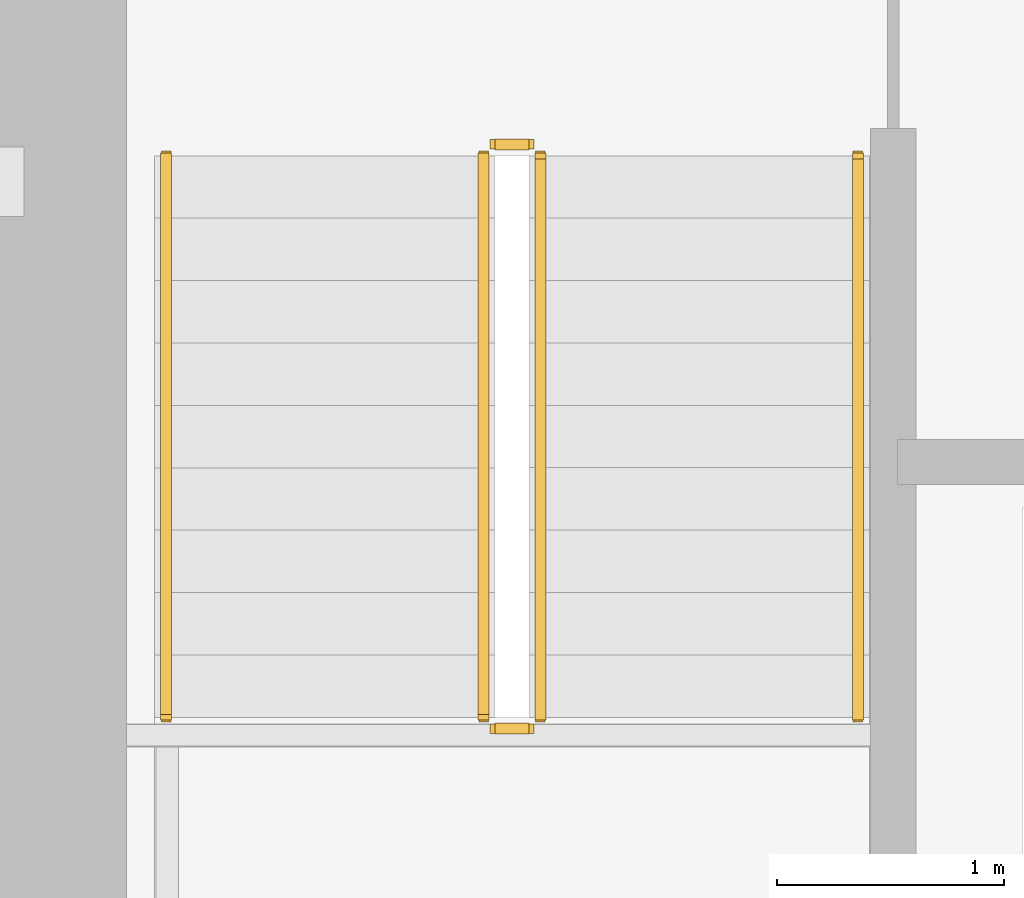
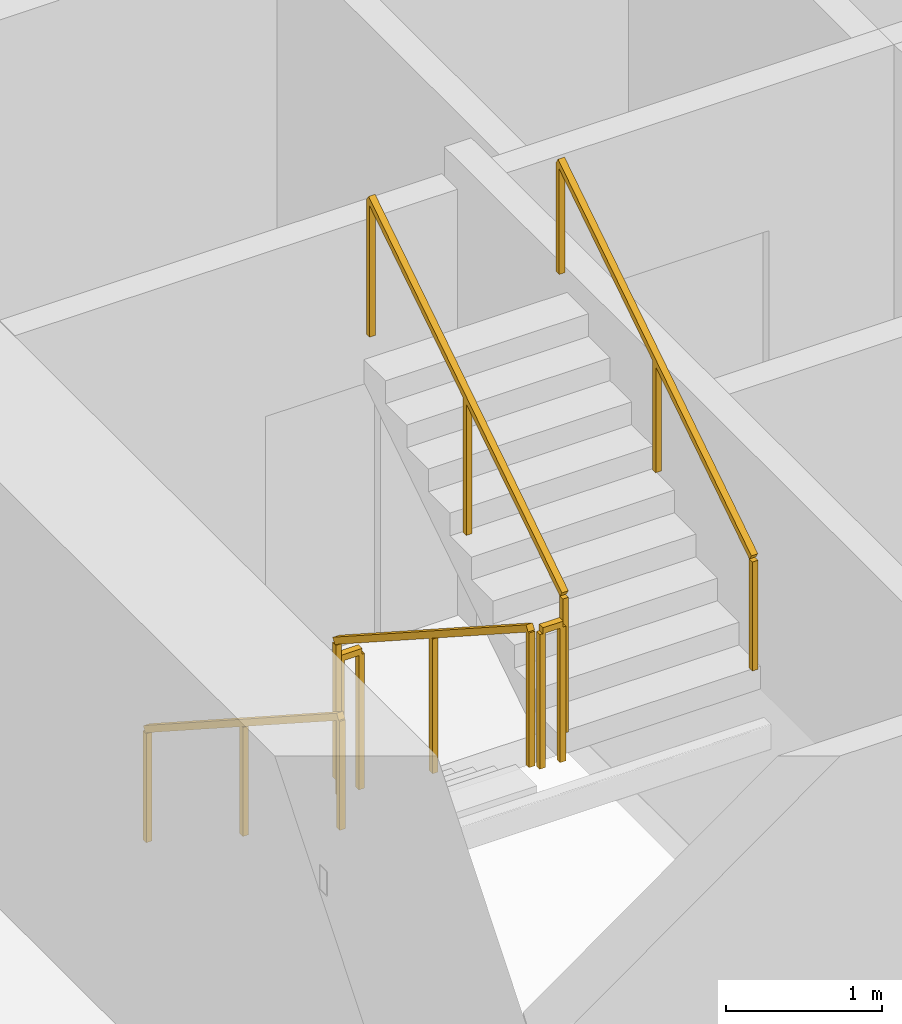
# One storey, part 12 of 14: 6 railings.
"""IFC4 building model written with IfcOpenShell, lengths in metres."""

from ifc_helpers import new_model, si_unit, direction, frame, origin, origin_2d, place, context, subcontext, project, spatial, rectangle, extrude, material, type_object, element, save


model = new_model("IFC4")

# Units and contexts
model_context = context("Model", 3, precision=1e-05, world=origin(), true_north=direction((0.0, 1.0)))
body_context = subcontext(model_context, "Body", "Model", "MODEL_VIEW")
ifc_project = project(units=[si_unit("LENGTHUNIT", "METRE"), si_unit("AREAUNIT", "SQUARE_METRE"), si_unit("VOLUMEUNIT", "CUBIC_METRE"), si_unit("PLANEANGLEUNIT", "RADIAN"), si_unit("MASSUNIT", "GRAM", prefix="KILO")], contexts=[model_context])

# Site, building, storey
site_placement = place(None, origin())
site = spatial("IfcSite", under=ifc_project, at=site_placement, CompositionType="ELEMENT")
building_placement = place(site_placement, origin())
building = spatial("IfcBuilding", under=site, at=building_placement, Name="Cinnabar Lancet Tower", CompositionType="ELEMENT")
storey_placement = place(building_placement, frame((0.0, 0.0, 39.10009765625)))
storey = spatial("IfcBuildingStorey", under=building, at=storey_placement, Name="L09", CompositionType="ELEMENT", Elevation=39.10009765625)

# Railings
ifc_material_1 = material(Name="Painted galvanized steel balustrade", Category="steel")
railing_type_1 = type_object("IfcRailingType", Name="GUARD-STAIR", PredefinedType="GUARDRAIL", material=ifc_material_1)
railing_1_placement = place(storey_placement, frame((24.97509765625, 28.39990234375, 0.177490234375)))
element("IfcRailing", 1, at=railing_1_placement, inside=storey, type_object=railing_type_1, Name="L09 ST-1 stair guard 1", PredefinedType="GUARDRAIL", context=body_context, shape_type="SweptSolid", body=[
    extrude(rectangle(XDim=0.048095703125, YDim=0.048095703125, at=origin_2d()), frame((0.0, 0.0, 1.076171875), z_axis=(0.0, -0.840183358697, 0.542302428327), x_axis=(1.0, 0.0, 0.0)), (0.0, 0.0, 1.0), 2.945556640625),
    extrude(rectangle(XDim=0.0419921875, YDim=0.0419921875, at=origin_2d()), origin(), (0.0, 0.0, 1.0), 1.052001953125),
    extrude(rectangle(XDim=0.0419921875, YDim=0.0419921875, at=origin_2d()), frame((0.0, -1.2373046875, 0.798828125)), (0.0, 0.0, 1.0), 1.052001953125),
    extrude(rectangle(XDim=0.0419921875, YDim=0.0419921875, at=origin_2d()), frame((0.0, -2.474853515625, 1.597412109375)), (0.0, 0.0, 1.0), 1.052001953125),
])
railing_2_placement = place(storey_placement, frame((25.02490234375, 25.875, 1.77490234375)))
element("IfcRailing", 2, at=railing_2_placement, inside=storey, type_object=railing_type_1, Name="L09 ST-1 stair guard 2", PredefinedType="GUARDRAIL", context=body_context, shape_type="SweptSolid", body=[
    extrude(rectangle(XDim=0.048095703125, YDim=0.048095703125, at=origin_2d()), frame((0.0, 0.0, 1.076171875), z_axis=(1.0, 0.0, 0.0), x_axis=(0.0, 1.0, 0.0)), (0.0, 0.0, 1.0), 0.150146484375),
    extrude(rectangle(XDim=0.0419921875, YDim=0.0419921875, at=origin_2d()), origin(), (0.0, 0.0, 1.0), 1.052001953125),
    extrude(rectangle(XDim=0.0419921875, YDim=0.0419921875, at=origin_2d()), frame((0.150146484375, 0.0, 0.0)), (0.0, 0.0, 1.0), 1.052001953125),
])
railing_3_placement = place(storey_placement, frame((25.22509765625, 25.925048828125, 1.952392578125)))
element("IfcRailing", 3, at=railing_3_placement, inside=storey, type_object=railing_type_1, Name="L09 ST-1 stair guard 3", PredefinedType="GUARDRAIL", context=body_context, shape_type="SweptSolid", body=[
    extrude(rectangle(XDim=0.048095703125, YDim=0.048095703125, at=origin_2d()), frame((0.0, 0.0, 1.076171875), z_axis=(0.0, 0.840183358697, 0.542302428327), x_axis=(-1.0, 0.0, 0.0)), (0.0, 0.0, 1.0), 2.945556640625),
    extrude(rectangle(XDim=0.0419921875, YDim=0.0419921875, at=origin_2d()), origin(), (0.0, 0.0, 1.0), 1.052001953125),
    extrude(rectangle(XDim=0.0419921875, YDim=0.0419921875, at=origin_2d()), frame((0.0, 1.2373046875, 0.798828125)), (0.0, 0.0, 1.0), 1.052001953125),
    extrude(rectangle(XDim=0.0419921875, YDim=0.0419921875, at=origin_2d()), frame((0.0, 2.474853515625, 1.597412109375)), (0.0, 0.0, 1.0), 1.052001953125),
])
railing_4_placement = place(storey_placement, frame((25.02490234375, 28.449951171875, 0.0)))
element("IfcRailing", 4, at=railing_4_placement, inside=storey, type_object=railing_type_1, Name="L09 ST-1 stair guard 4", PredefinedType="GUARDRAIL", context=body_context, shape_type="SweptSolid", body=[
    extrude(rectangle(XDim=0.048095703125, YDim=0.048095703125, at=origin_2d()), frame((0.0, 0.0, 1.076171875), z_axis=(1.0, 0.0, 0.0), x_axis=(0.0, 1.0, 0.0)), (0.0, 0.0, 1.0), 0.150146484375),
    extrude(rectangle(XDim=0.0419921875, YDim=0.0419921875, at=origin_2d()), origin(), (0.0, 0.0, 1.0), 1.052001953125),
    extrude(rectangle(XDim=0.0419921875, YDim=0.0419921875, at=origin_2d()), frame((0.150146484375, 0.0, 0.0)), (0.0, 0.0, 1.0), 1.052001953125),
])
ifc_material_2 = material(Name="Brushed stainless steel handrail", Category="steel")
railing_type_2 = type_object("IfcRailingType", Name="HANDRAIL-STAIR", PredefinedType="HANDRAIL", material=ifc_material_2)
railing_5_placement = place(storey_placement, frame((23.574951171875, 28.39990234375, 0.177490234375)))
element("IfcRailing", 5, at=railing_5_placement, inside=storey, type_object=railing_type_2, Name="L09 ST-1 stair handrail 1", PredefinedType="HANDRAIL", context=body_context, shape_type="SweptSolid", body=[
    extrude(rectangle(XDim=0.048095703125, YDim=0.048095703125, at=origin_2d()), frame((0.0, 0.0, 0.8759765625), z_axis=(0.0, -0.840183358697, 0.542302428327), x_axis=(1.0, 0.0, 0.0)), (0.0, 0.0, 1.0), 2.945556640625),
    extrude(rectangle(XDim=0.0419921875, YDim=0.0419921875, at=origin_2d()), origin(), (0.0, 0.0, 1.0), 0.851806640625),
    extrude(rectangle(XDim=0.0419921875, YDim=0.0419921875, at=origin_2d()), frame((0.0, -1.2373046875, 0.798828125)), (0.0, 0.0, 1.0), 0.851806640625),
    extrude(rectangle(XDim=0.0419921875, YDim=0.0419921875, at=origin_2d()), frame((0.0, -2.474853515625, 1.597412109375)), (0.0, 0.0, 1.0), 0.851806640625),
])
railing_6_placement = place(storey_placement, frame((26.625, 25.925048828125, 1.952392578125)))
element("IfcRailing", 6, at=railing_6_placement, inside=storey, type_object=railing_type_2, Name="L09 ST-1 stair handrail 2", PredefinedType="HANDRAIL", context=body_context, shape_type="SweptSolid", body=[
    extrude(rectangle(XDim=0.048095703125, YDim=0.048095703125, at=origin_2d()), frame((0.0, 0.0, 0.8759765625), z_axis=(0.0, 0.840183358697, 0.542302428327), x_axis=(-1.0, 0.0, 0.0)), (0.0, 0.0, 1.0), 2.945556640625),
    extrude(rectangle(XDim=0.0419921875, YDim=0.0419921875, at=origin_2d()), origin(), (0.0, 0.0, 1.0), 0.851806640625),
    extrude(rectangle(XDim=0.0419921875, YDim=0.0419921875, at=origin_2d()), frame((0.0, 1.2373046875, 0.798828125)), (0.0, 0.0, 1.0), 0.851806640625),
    extrude(rectangle(XDim=0.0419921875, YDim=0.0419921875, at=origin_2d()), frame((0.0, 2.474853515625, 1.597412109375)), (0.0, 0.0, 1.0), 0.851806640625),
])

save(model, "model.ifc")
